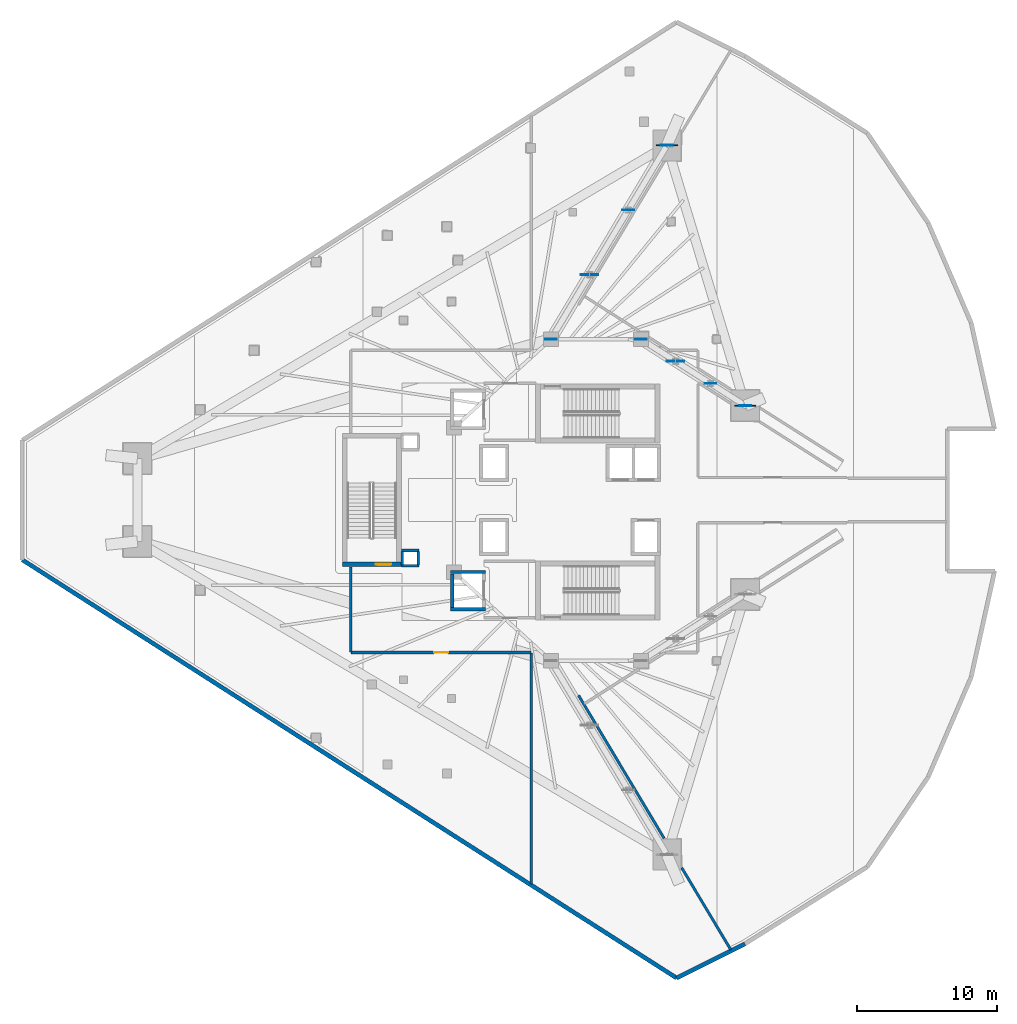
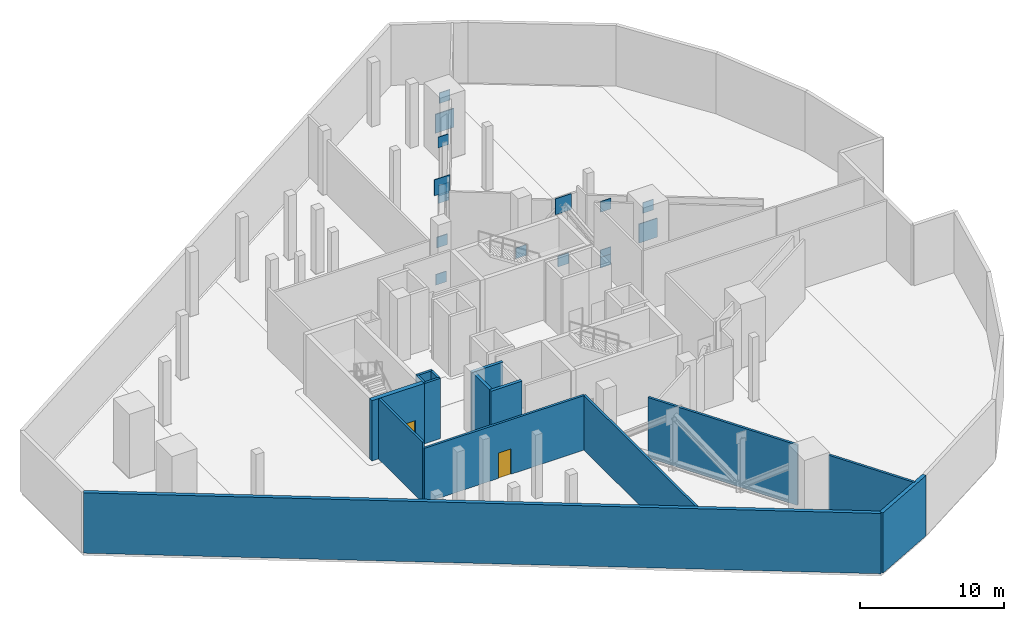
# One storey, part 4 of 12: 16 plates, 15 walls, 2 doors, 2 openings.
"""IFC4 building model written with IfcOpenShell, lengths in metres."""

from ifc_helpers import new_model, si_unit, direction, frame, frame_2d, origin, origin_2d, place, context, subcontext, project, spatial, rectangle, extrude, material, layer, layer_set, type_object, element, fill, save


model = new_model("IFC4")

# Units and contexts
model_context = context("Model", 3, precision=1e-05, world=origin(), true_north=direction((0.0, 1.0)))
body_context = subcontext(model_context, "Body", "Model", "MODEL_VIEW")
ifc_project = project(units=[si_unit("LENGTHUNIT", "METRE"), si_unit("AREAUNIT", "SQUARE_METRE"), si_unit("VOLUMEUNIT", "CUBIC_METRE"), si_unit("PLANEANGLEUNIT", "RADIAN"), si_unit("MASSUNIT", "GRAM", prefix="KILO")], contexts=[model_context])

# Site, building, storey
site_placement = place(None, origin())
site = spatial("IfcSite", under=ifc_project, at=site_placement, CompositionType="ELEMENT")
building_placement = place(site_placement, origin())
building = spatial("IfcBuilding", under=site, at=building_placement, Name="Qorvath Tower", CompositionType="ELEMENT")
storey_placement = place(building_placement, frame((0.0, 0.0, 99.60009765625)))
storey = spatial("IfcBuildingStorey", under=building, at=storey_placement, Name="L22", CompositionType="ELEMENT", Elevation=99.60009765625)

# Plates
ifc_material_1 = material(Name="Steel ASTM A572 Grade 50", Category="steel")
ifc_layer_1 = layer(ifc_material_1, 0.06005859375)
ifc_layer_set_1 = layer_set([ifc_layer_1], Name="PL-BN1")
plate_type_1 = type_object("IfcPlateType", Name="PL-BN1", PredefinedType="USERDEFINED", material=ifc_layer_set_1)
for number, where, z_axis, x_axis, name in (
    (1, (-20.84814453125, 16.048583984375, 3.874755859375), (0.0, 0.0, 1.0), (1.0, 0.0, 0.0), "Outrigger Panel Node Gusset OB1-1"),
    (2, (-14.723388671875, 9.873779296875, 3.874755859375), (0.0, 0.0, 1.0), (1.0, 0.0, 0.0), "Outrigger Panel Node Gusset OB1-2"),
):
    element("IfcPlate", number, at=place(storey_placement, frame(where, z_axis=z_axis, x_axis=x_axis)), inside=storey, type_object=plate_type_1, Name=name, ObjectType="GUSSET", PredefinedType="USERDEFINED", context=body_context, shape_type="SweptSolid", body=[
        extrude(rectangle(XDim=1.25, YDim=0.06005859375, at=origin_2d()), origin(), (0.0, 0.0, 1.0), 1.35009765625),
    ])
for number, where, z_axis, x_axis, name in (
    (3, (-20.84814453125, 16.048583984375, -0.60009765625), (0.0, 0.0, 1.0), (1.0, 0.0, 0.0), "Brace Strut End Gusset Plate NDBG-001"),
    (4, (-18.09619140625, 20.6474609375, -0.60009765625), (0.0, 0.0, 1.0), (1.0, 0.0, 0.0), "Brace Strut End Gusset Plate NDBG-002"),
    (5, (-18.09619140625, 20.6474609375, 4.099853515625), (0.0, 0.0, 1.0), (1.0, 0.0, 0.0), "Brace Strut End Gusset Plate NDBG-003"),
    (6, (-23.60009765625, 11.449951171875, 0.0), (0.0, 0.0, 1.0), (1.0, 0.0, 0.0), "Brace Strut End Gusset Plate NDBG-004"),
    (7, (-18.09619140625, 20.6474609375, 0.0), (0.0, 0.0, 1.0), (1.0, 0.0, 0.0), "Brace Strut End Gusset Plate NDBG-005"),
    (8, (-15.34423828125, 25.24609375, 4.099853515625), (0.0, 0.0, 1.0), (1.0, 0.0, 0.0), "Brace Strut End Gusset Plate NDBG-006"),
    (9, (-14.723388671875, 9.873779296875, -0.60009765625), (0.0, 0.0, 1.0), (1.0, 0.0, 0.0), "Brace Strut End Gusset Plate NDBG-007"),
    (10, (-12.246826171875, 8.297607421875, -0.60009765625), (0.0, 0.0, 1.0), (1.0, 0.0, 0.0), "Brace Strut End Gusset Plate NDBG-008"),
    (11, (-12.246826171875, 8.297607421875, 4.099853515625), (0.0, 0.0, 1.0), (1.0, 0.0, 0.0), "Brace Strut End Gusset Plate NDBG-009"),
    (12, (-17.199951171875, 11.449951171875, 0.0), (0.0, 0.0, 1.0), (1.0, 0.0, 0.0), "Brace Strut End Gusset Plate NDBG-010"),
    (13, (-12.246826171875, 8.297607421875, 0.0), (0.0, 0.0, 1.0), (1.0, 0.0, 0.0), "Brace Strut End Gusset Plate NDBG-011"),
    (14, (-9.770263671875, 6.721435546875, 4.099853515625), (0.0, 0.0, 1.0), (1.0, 0.0, 0.0), "Brace Strut End Gusset Plate NDBG-012"),
):
    element("IfcPlate", number, at=place(storey_placement, frame(where, z_axis=z_axis, x_axis=x_axis)), inside=storey, type_object=plate_type_1, Name=name, ObjectType="GUSSET", PredefinedType="USERDEFINED", context=body_context, shape_type="SweptSolid", body=[
        extrude(rectangle(XDim=0.85009765625, YDim=0.06005859375, at=origin_2d()), origin(), (0.0, 0.0, 1.0), 0.89990234375),
    ])
ifc_material_2 = material(Name="Steel ASTM A572 Grade 50", Category="steel")
ifc_layer_2 = layer(ifc_material_2, 0.074951171875)
ifc_layer_set_2 = layer_set([ifc_layer_2], Name="PL-ON1")
plate_type_2 = type_object("IfcPlateType", Name="PL-ON1", PredefinedType="USERDEFINED", material=ifc_layer_set_2)
for number, where, z_axis, x_axis, name in (
    (15, (-15.34423828125, 25.24609375, 1.69970703125), (0.0, 0.0, 1.0), (1.0, 0.0, 0.0), "Outrigger Gusset Plate OB1-1"),
    (16, (-9.770263671875, 6.721435546875, 1.69970703125), (0.0, 0.0, 1.0), (1.0, 0.0, 0.0), "Outrigger Gusset Plate OB1-2"),
):
    element("IfcPlate", number, at=place(storey_placement, frame(where, z_axis=z_axis, x_axis=x_axis)), inside=storey, type_object=plate_type_2, Name=name, ObjectType="GUSSET", PredefinedType="USERDEFINED", context=body_context, shape_type="SweptSolid", body=[
        extrude(rectangle(XDim=1.5, YDim=0.074951171875, at=origin_2d()), origin(), (0.0, 0.0, 1.0), 1.60009765625),
    ])

# Walls
ifc_material_3 = material(Name="Gypsum shaftliner on steel studs", Category="steel")
ifc_layer_3 = layer(ifc_material_3, 0.179931640625)
ifc_layer_set_3 = layer_set([ifc_layer_3], Name="FW-LOBBY")
wall_type_1 = type_object("IfcWallType", Name="FW-LOBBY", PredefinedType="PARTITIONING", material=ifc_layer_set_3)
for number, where, z_axis, x_axis, name in (
    (17, (-32.989990234375, -4.675048828125, 0.0), (0.0, 0.0, 1.0), (-1.0, 0.0, 0.0), "MEP Riser Shaft Enclosure Wall S-L22-S"),
    (18, (-34.260009765625, -3.594970703125, 0.0), (0.0, 0.0, 1.0), (1.0, 0.0, 0.0), "MEP Riser Shaft Enclosure Wall S-L22-N"),
):
    element("IfcWall", number, at=place(storey_placement, frame(where, z_axis=z_axis, x_axis=x_axis)), inside=storey, type_object=wall_type_1, Name=name, PredefinedType="PARTITIONING", context=body_context, shape_type="SweptSolid", body=[
        extrude(rectangle(XDim=1.27001953125, YDim=0.179931640625, at=frame_2d((0.635009765625, 0.0))), origin(), (0.0, 0.0, 1.0), 5.099853515625),
    ])
for number, where, z_axis, x_axis, name in (
    (19, (-34.205078125, -4.610107421875, 0.0), (0.0, 0.0, 1.0), (0.0, 1.0, 0.0), "MEP Riser Shaft Enclosure Wall S-L22-W"),
    (20, (-33.044921875, -3.659912109375, 0.0), (0.0, 0.0, 1.0), (0.0, -1.0, 0.0), "MEP Riser Shaft Enclosure Wall S-L22-E"),
):
    element("IfcWall", number, at=place(storey_placement, frame(where, z_axis=z_axis, x_axis=x_axis)), inside=storey, type_object=wall_type_1, Name=name, PredefinedType="PARTITIONING", context=body_context, shape_type="SweptSolid", body=[
        extrude(rectangle(XDim=0.9501953125, YDim=0.179931640625, at=frame_2d((0.47509765625, 0.0))), origin(), (0.0, 0.0, 1.0), 5.099853515625),
    ])
wall_1_placement = place(storey_placement, frame((-25.0, -27.346923828125, 0.0), z_axis=(0.0, 0.0, 1.0), x_axis=(0.0, 1.0, 0.0)))
element("IfcWall", 21, at=wall_1_placement, inside=storey, type_object=wall_type_1, Name="Interior Partition IW-T1-L22-005", PredefinedType="PARTITIONING", context=body_context, shape_type="SweptSolid", body=[
    extrude(rectangle(XDim=16.464111328125, YDim=0.179931640625, at=frame_2d((8.23193359375, 0.0))), origin(), (0.0, 0.0, 1.0), 4.61279296875),
])

# Wall, opening, door
wall_2_placement = place(storey_placement, frame((-37.8330078125, -10.85791015625, 0.0), z_axis=(0.0, 0.0, 1.0), x_axis=(1.0, 0.0, 0.0)))
wall_2 = element("IfcWall", 22, at=wall_2_placement, inside=storey, type_object=wall_type_1, Name="Interior Partition IW-T1-L22-006", PredefinedType="PARTITIONING", context=body_context, shape_type="SweptSolid", body=[
    extrude(rectangle(XDim=12.80810546875, YDim=0.179931640625, at=frame_2d((6.404052734375, 0.0))), origin(), (0.0, 0.0, 1.0), 4.61279296875),
])
opening_1_placement = place(wall_2_placement, frame((5.904052734375, 0.0, 0.0)))
opening_1 = element("IfcOpeningElement", 23, at=opening_1_placement, cuts=wall_2, Name="Opening D-T1-L22-01", PredefinedType="OPENING", context=body_context, shape_type="SweptSolid", body=[
    extrude(rectangle(XDim=1.0, YDim=2.14990234375, at=frame_2d((0.5, 1.074951171875))), frame((0.0, 0.10009765625, 0.0), z_axis=(0.0, -1.0, 0.0), x_axis=(1.0, 0.0, 0.0)), (0.0, 0.0, 1.0), 0.199951171875),
])
ifc_material_4 = material(Name="Painted galvanised hollow metal", Category="steel")
door_type_1 = type_object("IfcDoorType", Name="FD-90B", OperationType="NOTDEFINED", PredefinedType="DOOR", material=ifc_material_4)
door_1_placement = place(opening_1_placement, origin())
door_1 = element("IfcDoor", 24, at=door_1_placement, inside=storey, type_object=door_type_1, Name="Area of Refuge L22 Door D-T1-L22-01", OperationType="SINGLE_SWING_LEFT", OverallHeight=2.14990234375, OverallWidth=1.0, PredefinedType="DOOR", context=body_context, shape_type="SweptSolid", body=[
    extrude(rectangle(XDim=1.0, YDim=2.14990234375, at=frame_2d((0.5, 1.074951171875))), frame((0.0, 0.02490234375, 0.0), z_axis=(0.0, -1.0, 0.0), x_axis=(1.0, 0.0, 0.0)), (0.0, 0.0, 1.0), 0.050048828125),
])
fill(opening_1, door_1)

# Walls
wall_3_placement = place(storey_placement, frame((-37.85791015625, -10.8330078125, 0.0), z_axis=(0.0, 0.0, 1.0), x_axis=(0.0, 1.0, 0.0)))
element("IfcWall", 25, at=wall_3_placement, inside=storey, type_object=wall_type_1, Name="Interior Partition IW-T1-L22-007", PredefinedType="PARTITIONING", context=body_context, shape_type="SweptSolid", body=[
    extrude(rectangle(XDim=6.0498046875, YDim=0.179931640625, at=frame_2d((3.02490234375, 0.0))), origin(), (0.0, 0.0, 1.0), 5.099853515625),
])
wall_4_placement = place(storey_placement, frame((-21.640380859375, -13.90673828125, 0.0), z_axis=(0.0, 0.0, 1.0), x_axis=(0.513490454959, -0.858095305118, 0.0)))
element("IfcWall", 26, at=wall_4_placement, inside=storey, type_object=wall_type_1, Name="Interior Partition IW-T1-L22-036", PredefinedType="PARTITIONING", context=body_context, shape_type="SweptSolid", body=[
    extrude(rectangle(XDim=11.861083984375, YDim=0.179931640625, at=frame_2d((5.9306640625, 0.0))), origin(), (0.0, 0.0, 1.0), 5.099853515625),
])
wall_5_placement = place(storey_placement, frame((-14.291259765625, -26.1875, 0.0), z_axis=(0.0, 0.0, 1.0), x_axis=(0.513497629333, -0.85809101188, 0.0)))
element("IfcWall", 27, at=wall_5_placement, inside=storey, type_object=wall_type_1, Name="Interior Partition IW-T1-L22-037", PredefinedType="PARTITIONING", context=body_context, shape_type="SweptSolid", body=[
    extrude(rectangle(XDim=6.80078125, YDim=0.179931640625, at=frame_2d((3.400390625, 0.0))), origin(), (0.0, 0.0, 1.0), 5.099853515625),
])
ifc_material_5 = material(Name="Concrete C60/75", Category="concrete")
ifc_layer_4 = layer(ifc_material_5, 0.260009765625)
ifc_layer_set_4 = layer_set([ifc_layer_4], Name="SW-SHAFT")
wall_type_2 = type_object("IfcWallType", Name="SW-SHAFT", PredefinedType="SHEAR", material=ifc_layer_set_4)
for number, where, z_axis, x_axis, name in (
    (28, (-28.260009765625, -7.77001953125, 0.0), (0.0, 0.0, 1.0), (-1.0, 0.0, 0.0), "Hoistway Wall FSAE-2 L22 S"),
    (29, (-30.739990234375, -5.1298828125, 0.0), (0.0, 0.0, 1.0), (1.0, 0.0, 0.0), "Hoistway Wall FSAE-2 L22 N"),
):
    element("IfcWall", number, at=place(storey_placement, frame(where, z_axis=z_axis, x_axis=x_axis)), inside=storey, type_object=wall_type_2, Name=name, PredefinedType="SHEAR", context=body_context, shape_type="SweptSolid", body=[
        extrude(rectangle(XDim=2.47998046875, YDim=0.239990234375, at=frame_2d((1.239990234375, 0.0))), origin(), (0.0, 0.0, 1.0), 5.099853515625),
    ])
wall_6_placement = place(storey_placement, frame((-30.6201171875, -7.637939453125, 0.0), z_axis=(0.0, 0.0, 1.0), x_axis=(0.0, 1.0, 0.0)))
element("IfcWall", 30, at=wall_6_placement, inside=storey, type_object=wall_type_2, Name="Hoistway Wall FSAE-2 L22 W", PredefinedType="SHEAR", context=body_context, shape_type="SweptSolid", body=[
    extrude(rectangle(XDim=2.3759765625, YDim=0.239990234375, at=frame_2d((1.18798828125, 0.0))), origin(), (0.0, 0.0, 1.0), 5.099853515625),
])

# Wall, opening, door
ifc_material_6 = material(Name="Concrete C60/75", Category="concrete")
ifc_layer_5 = layer(ifc_material_6, 0.35009765625)
ifc_layer_set_5 = layer_set([ifc_layer_5], Name="SW-STAIR")
wall_type_3 = type_object("IfcWallType", Name="SW-STAIR", PredefinedType="SHEAR", material=ifc_layer_set_5)
wall_7_placement = place(storey_placement, frame((-38.4599609375, -4.574951171875, 0.0), z_axis=(0.0, 0.0, 1.0), x_axis=(1.0, 0.0, 0.0)))
wall_7 = element("IfcWall", 31, at=wall_7_placement, inside=storey, type_object=wall_type_3, Name="Stair TS3 Shear Wall L22 NEAR", PredefinedType="SHEAR", context=body_context, shape_type="SweptSolid", body=[
    extrude(rectangle(XDim=4.2099609375, YDim=0.35009765625, at=frame_2d((2.10498046875, 0.0))), origin(), (0.0, 0.0, 1.0), 5.099853515625),
])
opening_2_placement = place(wall_7_placement, frame((2.389892578125, 0.0, 0.0)))
opening_2 = element("IfcOpeningElement", 32, at=opening_2_placement, cuts=wall_7, Name="Opening D-TS3-L22", PredefinedType="OPENING", context=body_context, shape_type="SweptSolid", body=[
    extrude(rectangle(XDim=1.10009765625, YDim=2.199951171875, at=frame_2d((0.550048828125, 1.10009765625))), frame((0.0, 0.18505859375, 0.0), z_axis=(0.0, -1.0, 0.0), x_axis=(1.0, 0.0, 0.0)), (0.0, 0.0, 1.0), 0.3701171875),
])
ifc_material_7 = material(Name="Painted galvanised hollow metal", Category="steel")
door_type_2 = type_object("IfcDoorType", Name="FD-90", OperationType="NOTDEFINED", PredefinedType="DOOR", material=ifc_material_7)
door_2_placement = place(opening_2_placement, origin())
door_2 = element("IfcDoor", 33, at=door_2_placement, inside=storey, type_object=door_type_2, Name="Stair TS3 Fire Door L22", OperationType="SINGLE_SWING_LEFT", OverallHeight=2.199951171875, OverallWidth=1.10009765625, PredefinedType="DOOR", context=body_context, shape_type="SweptSolid", body=[
    extrude(rectangle(XDim=1.10009765625, YDim=2.199951171875, at=frame_2d((0.550048828125, 1.10009765625))), frame((0.0, 0.02490234375, 0.0), z_axis=(0.0, -1.0, 0.0), x_axis=(1.0, 0.0, 0.0)), (0.0, 0.0, 1.0), 0.050048828125),
])
fill(opening_2, door_2)

# Walls
ifc_material_8 = material(Name="Precast concrete C45/55", Category="concrete")
ifc_layer_6 = layer(ifc_material_8, 0.300048828125)
ifc_layer_set_6 = layer_set([ifc_layer_6], Name="WL-EW-LOG-300")
wall_type_4 = type_object("IfcWallType", Name="WL-EW-LOG-300", PredefinedType="SOLIDWALL", material=ifc_layer_set_6)
wall_8_placement = place(storey_placement, frame((-14.653564453125, -34.03955078125, 0.0), z_axis=(0.0, 0.0, 1.0), x_axis=(-0.842603619866, 0.538534251268, 0.0)))
element("IfcWall", 34, at=wall_8_placement, inside=storey, type_object=wall_type_4, Name="Tower Precast Loggia Wall L22-2.1", PredefinedType="SOLIDWALL", context=body_context, shape_type="SweptSolid", body=[
    extrude(rectangle(XDim=55.306884765625, YDim=0.300048828125, at=frame_2d((27.6533203125, 0.0))), origin(), (0.0, 0.0, 1.0), 5.099853515625),
])
wall_9_placement = place(storey_placement, frame((-9.790771484375, -31.608154296875, 0.0), z_axis=(0.0, 0.0, 1.0), x_axis=(-0.894427191, -0.4472135955, 0.0)))
element("IfcWall", 35, at=wall_9_placement, inside=storey, type_object=wall_type_4, Name="Tower Precast Loggia Wall L22-3.1", PredefinedType="SOLIDWALL", context=body_context, shape_type="SweptSolid", body=[
    extrude(rectangle(XDim=5.436767578125, YDim=0.300048828125, at=frame_2d((2.71826171875, 0.0))), origin(), (0.0, 0.0, 1.0), 5.099853515625),
])

save(model, "model.ifc")
